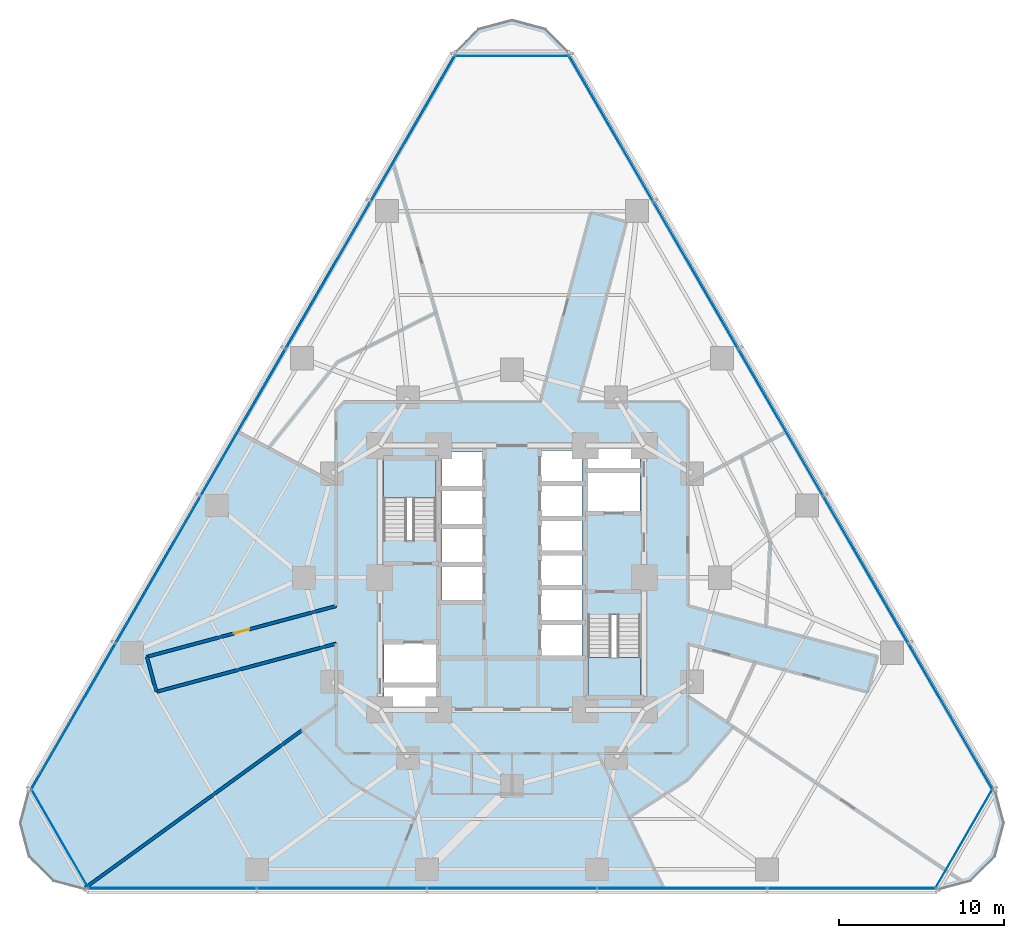
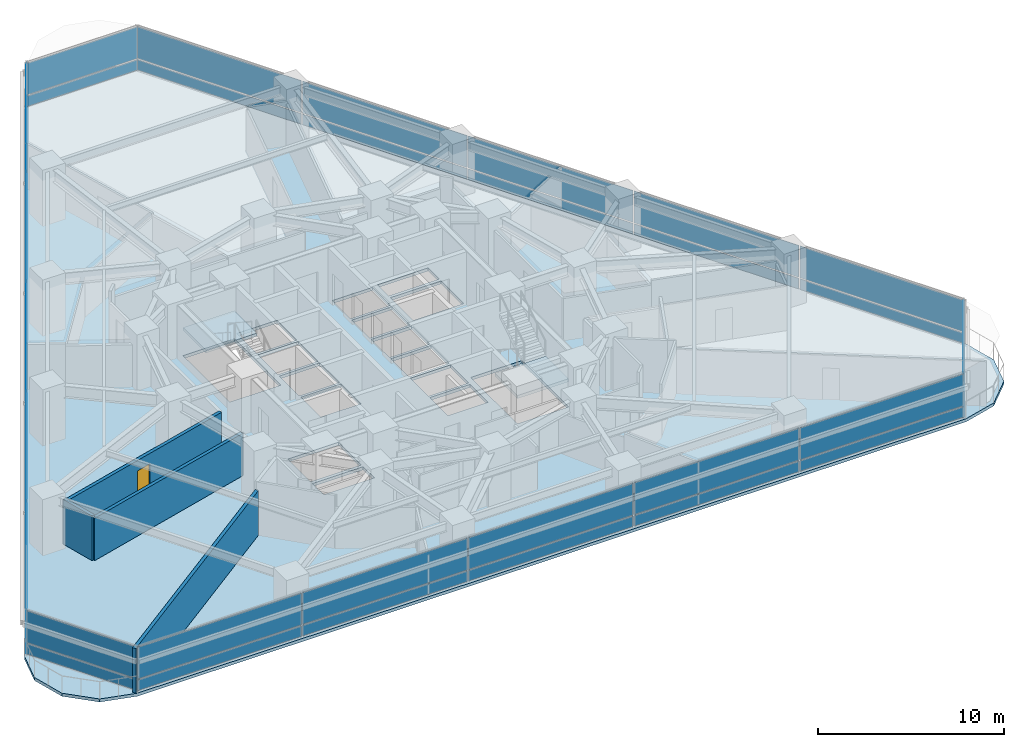
# One storey, part 7 of 16: 36 plates, 4 walls, 3 slabs, 1 door, 1 opening, 8 elements without a shape of their own.
"""IFC4 building model written with IfcOpenShell, lengths in metres."""

from ifc_helpers import new_model, si_unit, direction, frame, frame_2d, origin, origin_2d, place, context, subcontext, project, spatial, polyline, rectangle, outline, extrude, material, layer, layer_set, type_object, element, fill, aggregate, save


model = new_model("IFC4")

# Units and contexts
model_context = context("Model", 3, precision=1e-05, world=origin(), true_north=direction((0.0, 1.0)))
body_context = subcontext(model_context, "Body", "Model", "MODEL_VIEW")
ifc_project = project(units=[si_unit("LENGTHUNIT", "METRE"), si_unit("AREAUNIT", "SQUARE_METRE"), si_unit("VOLUMEUNIT", "CUBIC_METRE"), si_unit("PLANEANGLEUNIT", "RADIAN"), si_unit("MASSUNIT", "GRAM", prefix="KILO")], contexts=[model_context])

# Site, building, storey
site_placement = place(None, origin())
site = spatial("IfcSite", under=ifc_project, at=site_placement, CompositionType="ELEMENT")
building_placement = place(site_placement, origin())
building = spatial("IfcBuilding", under=site, at=building_placement, Name="Terralouvre Media Tower", CompositionType="ELEMENT")
storey_placement = place(building_placement, frame((0.0, 0.0, 40.800048828125)))
storey = spatial("IfcBuildingStorey", under=building, at=storey_placement, Name="L09", CompositionType="ELEMENT", Elevation=40.800048828125)

# Slab
ifc_material_1 = material(Name="Concrete C40/50", Category="concrete")
ifc_layer_1 = layer(ifc_material_1, 0.199951171875, Name="Composite Tower Floor Slab S-TYP200")
ifc_layer_set_1 = layer_set([ifc_layer_1], Name="Concrete C40/50")
slab_type_1 = type_object("IfcSlabType", Name="Composite Tower Floor Slab S-TYP200", PredefinedType="FLOOR", material=ifc_layer_set_1)
slab_1_placement = place(storey_placement, frame((0.0, 0.0, -0.199951171875)))
element("IfcSlab", 1, at=slab_1_placement, inside=storey, type_object=slab_type_1, Name="L09 Structural Floor Slab", PredefinedType="FLOOR", context=body_context, shape_type="SweptSolid", body=[
    extrude(outline(polyline([(-29.25732421875, -12.841796875), (-29.800048828125, -14.86669921875), (-29.25732421875, -16.891845703125), (-27.77490234375, -18.374267578125), (-25.75, -18.916748046875), (25.75, -18.916748046875), (27.77490234375, -18.374267578125), (29.25732421875, -16.891845703125), (29.800048828125, -14.86669921875), (29.25732421875, -12.841796875), (3.50732421875, 31.758544921875), (2.02490234375, 33.240966796875), (0.0, 33.783447265625), (-2.02490234375, 33.240966796875), (-3.50732421875, 31.758544921875), (-29.25732421875, -12.841796875)]), holes=[polyline([(-4.60009765625, -7.800048828125), (-7.75, -7.800048828125), (-7.75, -6.60009765625), (-4.60009765625, -6.60009765625), (-4.60009765625, -7.800048828125)]), polyline([(-4.60009765625, -6.39990234375), (-7.75, -6.39990234375), (-7.75, -3.949951171875), (-4.60009765625, -3.949951171875), (-4.60009765625, -6.39990234375)]), polyline([(-1.75, -1.419921875), (-4.25, -1.419921875), (-4.25, 0.719970703125), (-1.75, 0.719970703125), (-1.75, -1.419921875)]), polyline([(-1.75, 0.8798828125), (-4.25, 0.8798828125), (-4.25, 3.02001953125), (-1.75, 3.02001953125), (-1.75, 0.8798828125)]), polyline([(4.25, 1.580078125), (1.75, 1.580078125), (1.75, 3.52001953125), (4.25, 3.52001953125), (4.25, 1.580078125)]), polyline([(-1.75, 3.179931640625), (-4.25, 3.179931640625), (-4.25, 5.320068359375), (-1.75, 5.320068359375), (-1.75, 3.179931640625)]), polyline([(-4.60009765625, 2.2451171875), (-7.780029296875, 2.2451171875), (-7.780029296875, 7.260009765625), (-4.60009765625, 7.260009765625), (-4.60009765625, 2.2451171875)]), polyline([(-1.75, 5.47998046875), (-4.25, 5.47998046875), (-4.25, 7.6201171875), (-1.75, 7.6201171875), (-1.75, 5.47998046875)]), polyline([(4.60009765625, -2.2451171875), (7.780029296875, -2.2451171875), (7.780029296875, -7.260009765625), (4.60009765625, -7.260009765625), (4.60009765625, -2.2451171875)]), polyline([(4.25, -4.719970703125), (1.75, -4.719970703125), (1.75, -2.780029296875), (4.25, -2.780029296875), (4.25, -4.719970703125)]), polyline([(4.25, -2.6201171875), (1.75, -2.6201171875), (1.75, -0.679931640625), (4.25, -0.679931640625), (4.25, -2.6201171875)]), polyline([(4.25, -0.52001953125), (1.75, -0.52001953125), (1.75, 1.419921875), (4.25, 1.419921875), (4.25, -0.52001953125)]), polyline([(4.25, 3.679931640625), (1.75, 3.679931640625), (1.75, 5.6201171875), (4.25, 5.6201171875), (4.25, 3.679931640625)]), polyline([(7.75, 3.949951171875), (4.60009765625, 3.949951171875), (4.60009765625, 6.39990234375), (7.75, 6.39990234375), (7.75, 3.949951171875)]), polyline([(4.25, 5.780029296875), (1.75, 5.780029296875), (1.75, 7.719970703125), (4.25, 7.719970703125), (4.25, 5.780029296875)]), polyline([(7.75, 6.60009765625), (4.60009765625, 6.60009765625), (4.60009765625, 7.800048828125), (7.75, 7.800048828125), (7.75, 6.60009765625)])]), origin(), (0.0, 0.0, 1.0), 0.199951171875),
])

# Stair, slab
ifc_material_2 = material(Name="Concrete C45/55", Category="concrete")
stair_type_1 = type_object("IfcStairType", Name="Dogleg Stair Assembly ST-01", PredefinedType="HALF_TURN_STAIR", material=ifc_material_2)
stair_1_placement = place(storey_placement, origin())
stair_1 = element("IfcStair", 2, at=stair_1_placement, inside=storey, type_object=stair_type_1, Name="L09 Core Pressurised Exit Stair ST-01", PredefinedType="HALF_TURN_STAIR")
ifc_material_3 = material(Name="Concrete C45/55", Category="concrete")
ifc_layer_2 = layer(ifc_material_3, 0.199951171875, Name="Reinforced Concrete Stair Half-Landing SL-LD1")
ifc_layer_set_2 = layer_set([ifc_layer_2], Name="Concrete C45/55")
slab_type_2 = type_object("IfcSlabType", Name="Reinforced Concrete Stair Half-Landing SL-LD1", PredefinedType="LANDING", material=ifc_layer_set_2)
slab_2_placement = place(storey_placement, frame((0.0, 0.0, 1.64990234375)))
slab_2 = element("IfcSlab", 3, at=slab_2_placement, type_object=slab_type_2, Name="ST-01 landing 1", PredefinedType="LANDING", context=body_context, shape_type="SweptSolid", body=[
    extrude(outline(polyline([(-4.60009765625, 4.820068359375), (-4.60009765625, 7.260009765625), (-7.780029296875, 7.260009765625), (-7.780029296875, 4.820068359375), (-4.60009765625, 4.820068359375)])), origin(), (0.0, 0.0, 1.0), 0.199951171875),
])
aggregate(stair_1, [slab_2])

ifc_material_4 = material(Name="Concrete C45/55", Category="concrete")
stair_type_2 = type_object("IfcStairType", Name="Dogleg Stair Assembly ST-02", PredefinedType="HALF_TURN_STAIR", material=ifc_material_4)
stair_2_placement = place(storey_placement, origin())
stair_2 = element("IfcStair", 4, at=stair_2_placement, inside=storey, type_object=stair_type_2, Name="L09 Core Pressurised Exit Stair ST-02", PredefinedType="HALF_TURN_STAIR")
slab_3_placement = place(storey_placement, frame((0.0, 0.0, 1.64990234375)))
slab_3 = element("IfcSlab", 5, at=slab_3_placement, type_object=slab_type_2, Name="ST-02 landing 1", PredefinedType="LANDING", context=body_context, shape_type="SweptSolid", body=[
    extrude(outline(polyline([(4.60009765625, -4.820068359375), (4.60009765625, -7.260009765625), (7.780029296875, -7.260009765625), (7.780029296875, -4.820068359375), (4.60009765625, -4.820068359375)])), origin(), (0.0, 0.0, 1.0), 0.199951171875),
])
aggregate(stair_2, [slab_3])

# Curtain wall, plates
ifc_material_5 = material(Name="Low-iron laminated double glazing with solar-control coating", Category="glass")
ifc_layer_3 = layer(ifc_material_5, 0.1650390625, Name="Rounded Wind-Corner Curved Glazing CW-04")
ifc_layer_set_3 = layer_set([ifc_layer_3], Name="Low-iron laminated double glazing with solar-control coating")
curtain_wall_type_1 = type_object("IfcCurtainWallType", Name="Rounded Wind-Corner Curved Glazing CW-04", PredefinedType="NOTDEFINED", material=ifc_layer_set_3)
curtain_wall_1_placement = place(storey_placement, origin())
curtain_wall_1 = element("IfcCurtainWall", 6, at=curtain_wall_1_placement, inside=storey, type_object=curtain_wall_type_1, Name="L09 Rounded Wind-Corner Curtain Wall C0", PredefinedType="NOTDEFINED")
ifc_material_6 = material(Name="Low-iron laminated double glazing with solar-control coating", Category="glass")
ifc_layer_4 = layer(ifc_material_6, 0.0400390625, Name="Rounded Corner Laminated Vision Panel CWP-03")
ifc_layer_set_4 = layer_set([ifc_layer_4], Name="Low-iron laminated double glazing with solar-control coating")
plate_type_1 = type_object("IfcPlateType", Name="Rounded Corner Laminated Vision Panel CWP-03", PredefinedType="CURTAIN_PANEL", material=ifc_layer_set_4)
plate_1_placement = place(storey_placement, frame((-27.382568359375, -15.809326171875, 0.074951171875), z_axis=(0.0, 0.0, 1.0), x_axis=(0.499999691503, -0.866025581895, 0.0)))
plate_1 = element("IfcPlate", 7, at=plate_1_placement, type_object=plate_type_1, Name="CW-04 panel 1.1", PredefinedType="CURTAIN_PANEL", context=body_context, shape_type="SweptSolid", body=[
    extrude(rectangle(XDim=6.86474609375, YDim=0.035888671875, at=origin_2d()), origin(), (0.0, 0.0, 1.0), 0.6875),
])
plate_2_placement = place(storey_placement, frame((-27.382568359375, -15.809326171875, 0.83740234375), z_axis=(0.0, 0.0, 1.0), x_axis=(0.499999691503, -0.866025581895, 0.0)))
plate_2 = element("IfcPlate", 8, at=plate_2_placement, type_object=plate_type_1, Name="CW-04 panel 1.2", PredefinedType="CURTAIN_PANEL", context=body_context, shape_type="SweptSolid", body=[
    extrude(rectangle(XDim=6.86474609375, YDim=0.035888671875, at=origin_2d()), origin(), (0.0, 0.0, 1.0), 2.08740234375),
])
aggregate(curtain_wall_1, [plate_1, plate_2])

curtain_wall_2_placement = place(storey_placement, origin())
curtain_wall_2 = element("IfcCurtainWall", 9, at=curtain_wall_2_placement, inside=storey, type_object=curtain_wall_type_1, Name="L09 Rounded Wind-Corner Curtain Wall C1", PredefinedType="NOTDEFINED")
plate_3_placement = place(storey_placement, frame((27.382568359375, -15.809326171875, 0.074951171875), z_axis=(0.0, 0.0, 1.0), x_axis=(0.499999691503, 0.866025581895, 0.0)))
plate_3 = element("IfcPlate", 10, at=plate_3_placement, type_object=plate_type_1, Name="CW-04 panel 1.1", PredefinedType="CURTAIN_PANEL", context=body_context, shape_type="SweptSolid", body=[
    extrude(rectangle(XDim=6.86474609375, YDim=0.035888671875, at=origin_2d()), origin(), (0.0, 0.0, 1.0), 0.6875),
])
plate_4_placement = place(storey_placement, frame((27.382568359375, -15.809326171875, 0.83740234375), z_axis=(0.0, 0.0, 1.0), x_axis=(0.499999691503, 0.866025581895, 0.0)))
plate_4 = element("IfcPlate", 11, at=plate_4_placement, type_object=plate_type_1, Name="CW-04 panel 1.2", PredefinedType="CURTAIN_PANEL", context=body_context, shape_type="SweptSolid", body=[
    extrude(rectangle(XDim=6.86474609375, YDim=0.035888671875, at=origin_2d()), origin(), (0.0, 0.0, 1.0), 2.08740234375),
])
aggregate(curtain_wall_2, [plate_3, plate_4])

curtain_wall_3_placement = place(storey_placement, origin())
curtain_wall_3 = element("IfcCurtainWall", 12, at=curtain_wall_3_placement, inside=storey, type_object=curtain_wall_type_1, Name="L09 Rounded Wind-Corner Curtain Wall C2", PredefinedType="NOTDEFINED")
plate_5_placement = place(storey_placement, frame((0.0, 31.61865234375, 0.074951171875), z_axis=(0.0, 0.0, 1.0), x_axis=(-1.0, 0.0, 0.0)))
plate_5 = element("IfcPlate", 13, at=plate_5_placement, type_object=plate_type_1, Name="CW-04 panel 1.1", PredefinedType="CURTAIN_PANEL", context=body_context, shape_type="SweptSolid", body=[
    extrude(rectangle(XDim=6.86474609375, YDim=0.035888671875, at=origin_2d()), origin(), (0.0, 0.0, 1.0), 0.6875),
])
plate_6_placement = place(storey_placement, frame((0.0, 31.61865234375, 0.83740234375), z_axis=(0.0, 0.0, 1.0), x_axis=(-1.0, 0.0, 0.0)))
plate_6 = element("IfcPlate", 14, at=plate_6_placement, type_object=plate_type_1, Name="CW-04 panel 1.2", PredefinedType="CURTAIN_PANEL", context=body_context, shape_type="SweptSolid", body=[
    extrude(rectangle(XDim=6.86474609375, YDim=0.035888671875, at=origin_2d()), origin(), (0.0, 0.0, 1.0), 2.08740234375),
])
aggregate(curtain_wall_3, [plate_5, plate_6])

ifc_material_7 = material(Name="Low-iron laminated double glazing with solar-control coating", Category="glass")
ifc_layer_5 = layer(ifc_material_7, 0.1650390625, Name="Lower Media Tower Unitised Curtain Wall CW-02")
ifc_layer_set_5 = layer_set([ifc_layer_5], Name="Low-iron laminated double glazing with solar-control coating")
curtain_wall_type_2 = type_object("IfcCurtainWallType", Name="Lower Media Tower Unitised Curtain Wall CW-02", PredefinedType="NOTDEFINED", material=ifc_layer_set_5)
curtain_wall_4_placement = place(storey_placement, origin())
curtain_wall_4 = element("IfcCurtainWall", 15, at=curtain_wall_4_placement, inside=storey, type_object=curtain_wall_type_2, Name="L09 Facade Curtain Wall F0", PredefinedType="NOTDEFINED")
ifc_material_8 = material(Name="Low-iron laminated double glazing with solar-control coating", Category="glass")
ifc_layer_6 = layer(ifc_material_8, 0.035888671875, Name="Vision Double-Glazed Unit CWP-01")
ifc_layer_set_6 = layer_set([ifc_layer_6], Name="Low-iron laminated double glazing with solar-control coating")
plate_type_2 = type_object("IfcPlateType", Name="Vision Double-Glazed Unit CWP-01", PredefinedType="CURTAIN_PANEL", material=ifc_layer_set_6)
plate_7_placement = place(storey_placement, frame((-20.581298828125, -18.796875, 0.074951171875), z_axis=(0.0, 0.0, 1.0), x_axis=(1.0, 0.0, 0.0)))
plate_7 = element("IfcPlate", 16, at=plate_7_placement, type_object=plate_type_2, Name="CW-02 panel 1.1", PredefinedType="CURTAIN_PANEL", context=body_context, shape_type="SweptSolid", body=[
    extrude(rectangle(XDim=10.1875, YDim=0.035888671875, at=origin_2d()), origin(), (0.0, 0.0, 1.0), 0.6875),
])
plate_8_placement = place(storey_placement, frame((-20.581298828125, -18.796875, 0.83740234375), z_axis=(0.0, 0.0, 1.0), x_axis=(1.0, 0.0, 0.0)))
plate_8 = element("IfcPlate", 17, at=plate_8_placement, type_object=plate_type_2, Name="CW-02 panel 1.2", PredefinedType="CURTAIN_PANEL", context=body_context, shape_type="SweptSolid", body=[
    extrude(rectangle(XDim=10.1875, YDim=0.035888671875, at=origin_2d()), origin(), (0.0, 0.0, 1.0), 2.08740234375),
])
plate_9_placement = place(storey_placement, frame((-10.300048828125, -18.796875, 0.074951171875), z_axis=(0.0, 0.0, 1.0), x_axis=(1.0, 0.0, 0.0)))
plate_9 = element("IfcPlate", 18, at=plate_9_placement, type_object=plate_type_2, Name="CW-02 panel 2.1", PredefinedType="CURTAIN_PANEL", context=body_context, shape_type="SweptSolid", body=[
    extrude(rectangle(XDim=10.22509765625, YDim=0.035888671875, at=origin_2d()), origin(), (0.0, 0.0, 1.0), 0.6875),
])
plate_10_placement = place(storey_placement, frame((-10.300048828125, -18.796875, 0.83740234375), z_axis=(0.0, 0.0, 1.0), x_axis=(1.0, 0.0, 0.0)))
plate_10 = element("IfcPlate", 19, at=plate_10_placement, type_object=plate_type_2, Name="CW-02 panel 2.2", PredefinedType="CURTAIN_PANEL", context=body_context, shape_type="SweptSolid", body=[
    extrude(rectangle(XDim=10.22509765625, YDim=0.035888671875, at=origin_2d()), origin(), (0.0, 0.0, 1.0), 2.08740234375),
])
plate_11_placement = place(storey_placement, frame((0.0, -18.796875, 0.074951171875), z_axis=(0.0, 0.0, 1.0), x_axis=(1.0, 0.0, 0.0)))
plate_11 = element("IfcPlate", 20, at=plate_11_placement, type_object=plate_type_2, Name="CW-02 panel 3.1", PredefinedType="CURTAIN_PANEL", context=body_context, shape_type="SweptSolid", body=[
    extrude(rectangle(XDim=10.22509765625, YDim=0.035888671875, at=origin_2d()), origin(), (0.0, 0.0, 1.0), 0.6875),
])
plate_12_placement = place(storey_placement, frame((0.0, -18.796875, 0.83740234375), z_axis=(0.0, 0.0, 1.0), x_axis=(1.0, 0.0, 0.0)))
plate_12 = element("IfcPlate", 21, at=plate_12_placement, type_object=plate_type_2, Name="CW-02 panel 3.2", PredefinedType="CURTAIN_PANEL", context=body_context, shape_type="SweptSolid", body=[
    extrude(rectangle(XDim=10.22509765625, YDim=0.035888671875, at=origin_2d()), origin(), (0.0, 0.0, 1.0), 2.08740234375),
])
plate_13_placement = place(storey_placement, frame((10.300048828125, -18.796875, 0.074951171875), z_axis=(0.0, 0.0, 1.0), x_axis=(1.0, 0.0, 0.0)))
plate_13 = element("IfcPlate", 22, at=plate_13_placement, type_object=plate_type_2, Name="CW-02 panel 4.1", PredefinedType="CURTAIN_PANEL", context=body_context, shape_type="SweptSolid", body=[
    extrude(rectangle(XDim=10.22509765625, YDim=0.035888671875, at=origin_2d()), origin(), (0.0, 0.0, 1.0), 0.6875),
])
plate_14_placement = place(storey_placement, frame((10.300048828125, -18.796875, 0.83740234375), z_axis=(0.0, 0.0, 1.0), x_axis=(1.0, 0.0, 0.0)))
plate_14 = element("IfcPlate", 23, at=plate_14_placement, type_object=plate_type_2, Name="CW-02 panel 4.2", PredefinedType="CURTAIN_PANEL", context=body_context, shape_type="SweptSolid", body=[
    extrude(rectangle(XDim=10.22509765625, YDim=0.035888671875, at=origin_2d()), origin(), (0.0, 0.0, 1.0), 2.08740234375),
])
plate_15_placement = place(storey_placement, frame((20.581298828125, -18.796875, 0.074951171875), z_axis=(0.0, 0.0, 1.0), x_axis=(1.0, 0.0, 0.0)))
plate_15 = element("IfcPlate", 24, at=plate_15_placement, type_object=plate_type_2, Name="CW-02 panel 5.1", PredefinedType="CURTAIN_PANEL", context=body_context, shape_type="SweptSolid", body=[
    extrude(rectangle(XDim=10.1875, YDim=0.035888671875, at=origin_2d()), origin(), (0.0, 0.0, 1.0), 0.6875),
])
plate_16_placement = place(storey_placement, frame((20.581298828125, -18.796875, 0.83740234375), z_axis=(0.0, 0.0, 1.0), x_axis=(1.0, 0.0, 0.0)))
plate_16 = element("IfcPlate", 25, at=plate_16_placement, type_object=plate_type_2, Name="CW-02 panel 5.2", PredefinedType="CURTAIN_PANEL", context=body_context, shape_type="SweptSolid", body=[
    extrude(rectangle(XDim=10.1875, YDim=0.035888671875, at=origin_2d()), origin(), (0.0, 0.0, 1.0), 2.08740234375),
])
aggregate(curtain_wall_4, [plate_7, plate_8, plate_9, plate_10, plate_11, plate_12, plate_13, plate_14, plate_15, plate_16])

curtain_wall_5_placement = place(storey_placement, origin())
curtain_wall_5 = element("IfcCurtainWall", 26, at=curtain_wall_5_placement, inside=storey, type_object=curtain_wall_type_2, Name="L09 Facade Curtain Wall F1", PredefinedType="NOTDEFINED")
plate_17_placement = place(storey_placement, frame((26.569091796875, -8.425537109375, 0.074951171875), z_axis=(0.0, 0.0, 1.0), x_axis=(-0.499999985671, 0.866025412057, 0.0)))
plate_17 = element("IfcPlate", 27, at=plate_17_placement, type_object=plate_type_2, Name="CW-02 panel 1.1", PredefinedType="CURTAIN_PANEL", context=body_context, shape_type="SweptSolid", body=[
    extrude(rectangle(XDim=10.1875, YDim=0.035888671875, at=origin_2d()), origin(), (0.0, 0.0, 1.0), 0.6875),
])
plate_18_placement = place(storey_placement, frame((26.569091796875, -8.425537109375, 0.83740234375), z_axis=(0.0, 0.0, 1.0), x_axis=(-0.499999985671, 0.866025412057, 0.0)))
plate_18 = element("IfcPlate", 28, at=plate_18_placement, type_object=plate_type_2, Name="CW-02 panel 1.2", PredefinedType="CURTAIN_PANEL", context=body_context, shape_type="SweptSolid", body=[
    extrude(rectangle(XDim=10.1875, YDim=0.035888671875, at=origin_2d()), origin(), (0.0, 0.0, 1.0), 2.08740234375),
])
plate_19_placement = place(storey_placement, frame((21.428466796875, 0.478271484375, 0.074951171875), z_axis=(0.0, 0.0, 1.0), x_axis=(-0.499999985671, 0.866025412057, 0.0)))
plate_19 = element("IfcPlate", 29, at=plate_19_placement, type_object=plate_type_2, Name="CW-02 panel 2.1", PredefinedType="CURTAIN_PANEL", context=body_context, shape_type="SweptSolid", body=[
    extrude(rectangle(XDim=10.22509765625, YDim=0.035888671875, at=origin_2d()), origin(), (0.0, 0.0, 1.0), 0.6875),
])
plate_20_placement = place(storey_placement, frame((21.428466796875, 0.478271484375, 0.83740234375), z_axis=(0.0, 0.0, 1.0), x_axis=(-0.499999985671, 0.866025412057, 0.0)))
plate_20 = element("IfcPlate", 30, at=plate_20_placement, type_object=plate_type_2, Name="CW-02 panel 2.2", PredefinedType="CURTAIN_PANEL", context=body_context, shape_type="SweptSolid", body=[
    extrude(rectangle(XDim=10.22509765625, YDim=0.035888671875, at=origin_2d()), origin(), (0.0, 0.0, 1.0), 2.08740234375),
])
plate_21_placement = place(storey_placement, frame((16.278564453125, 9.3984375, 0.074951171875), z_axis=(0.0, 0.0, 1.0), x_axis=(-0.499999985671, 0.866025412057, 0.0)))
plate_21 = element("IfcPlate", 31, at=plate_21_placement, type_object=plate_type_2, Name="CW-02 panel 3.1", PredefinedType="CURTAIN_PANEL", context=body_context, shape_type="SweptSolid", body=[
    extrude(rectangle(XDim=10.22509765625, YDim=0.035888671875, at=origin_2d()), origin(), (0.0, 0.0, 1.0), 0.6875),
])
plate_22_placement = place(storey_placement, frame((16.278564453125, 9.3984375, 0.83740234375), z_axis=(0.0, 0.0, 1.0), x_axis=(-0.499999985671, 0.866025412057, 0.0)))
plate_22 = element("IfcPlate", 32, at=plate_22_placement, type_object=plate_type_2, Name="CW-02 panel 3.2", PredefinedType="CURTAIN_PANEL", context=body_context, shape_type="SweptSolid", body=[
    extrude(rectangle(XDim=10.22509765625, YDim=0.035888671875, at=origin_2d()), origin(), (0.0, 0.0, 1.0), 2.08740234375),
])
plate_23_placement = place(storey_placement, frame((11.12841796875, 18.318359375, 0.074951171875), z_axis=(0.0, 0.0, 1.0), x_axis=(-0.499999985671, 0.866025412057, 0.0)))
plate_23 = element("IfcPlate", 33, at=plate_23_placement, type_object=plate_type_2, Name="CW-02 panel 4.1", PredefinedType="CURTAIN_PANEL", context=body_context, shape_type="SweptSolid", body=[
    extrude(rectangle(XDim=10.22509765625, YDim=0.035888671875, at=origin_2d()), origin(), (0.0, 0.0, 1.0), 0.6875),
])
plate_24_placement = place(storey_placement, frame((11.12841796875, 18.318359375, 0.83740234375), z_axis=(0.0, 0.0, 1.0), x_axis=(-0.499999985671, 0.866025412057, 0.0)))
plate_24 = element("IfcPlate", 34, at=plate_24_placement, type_object=plate_type_2, Name="CW-02 panel 4.2", PredefinedType="CURTAIN_PANEL", context=body_context, shape_type="SweptSolid", body=[
    extrude(rectangle(XDim=10.22509765625, YDim=0.035888671875, at=origin_2d()), origin(), (0.0, 0.0, 1.0), 2.08740234375),
])
plate_25_placement = place(storey_placement, frame((5.98779296875, 27.22216796875, 0.074951171875), z_axis=(0.0, 0.0, 1.0), x_axis=(-0.499999985671, 0.866025412057, 0.0)))
plate_25 = element("IfcPlate", 35, at=plate_25_placement, type_object=plate_type_2, Name="CW-02 panel 5.1", PredefinedType="CURTAIN_PANEL", context=body_context, shape_type="SweptSolid", body=[
    extrude(rectangle(XDim=10.1875, YDim=0.035888671875, at=origin_2d()), origin(), (0.0, 0.0, 1.0), 0.6875),
])
plate_26_placement = place(storey_placement, frame((5.98779296875, 27.22216796875, 0.83740234375), z_axis=(0.0, 0.0, 1.0), x_axis=(-0.499999985671, 0.866025412057, 0.0)))
plate_26 = element("IfcPlate", 36, at=plate_26_placement, type_object=plate_type_2, Name="CW-02 panel 5.2", PredefinedType="CURTAIN_PANEL", context=body_context, shape_type="SweptSolid", body=[
    extrude(rectangle(XDim=10.1875, YDim=0.035888671875, at=origin_2d()), origin(), (0.0, 0.0, 1.0), 2.08740234375),
])
aggregate(curtain_wall_5, [plate_17, plate_18, plate_19, plate_20, plate_21, plate_22, plate_23, plate_24, plate_25, plate_26])

curtain_wall_6_placement = place(storey_placement, origin())
curtain_wall_6 = element("IfcCurtainWall", 37, at=curtain_wall_6_placement, inside=storey, type_object=curtain_wall_type_2, Name="L09 Facade Curtain Wall F2", PredefinedType="NOTDEFINED")
plate_27_placement = place(storey_placement, frame((-5.98779296875, 27.22216796875, 0.074951171875), z_axis=(0.0, 0.0, 1.0), x_axis=(-0.499999985671, -0.866025412057, 0.0)))
plate_27 = element("IfcPlate", 38, at=plate_27_placement, type_object=plate_type_2, Name="CW-02 panel 1.1", PredefinedType="CURTAIN_PANEL", context=body_context, shape_type="SweptSolid", body=[
    extrude(rectangle(XDim=10.1875, YDim=0.035888671875, at=origin_2d()), origin(), (0.0, 0.0, 1.0), 0.6875),
])
plate_28_placement = place(storey_placement, frame((-5.98779296875, 27.22216796875, 0.83740234375), z_axis=(0.0, 0.0, 1.0), x_axis=(-0.499999985671, -0.866025412057, 0.0)))
plate_28 = element("IfcPlate", 39, at=plate_28_placement, type_object=plate_type_2, Name="CW-02 panel 1.2", PredefinedType="CURTAIN_PANEL", context=body_context, shape_type="SweptSolid", body=[
    extrude(rectangle(XDim=10.1875, YDim=0.035888671875, at=origin_2d()), origin(), (0.0, 0.0, 1.0), 2.08740234375),
])
plate_29_placement = place(storey_placement, frame((-11.12841796875, 18.318359375, 0.074951171875), z_axis=(0.0, 0.0, 1.0), x_axis=(-0.499999985671, -0.866025412057, 0.0)))
plate_29 = element("IfcPlate", 40, at=plate_29_placement, type_object=plate_type_2, Name="CW-02 panel 2.1", PredefinedType="CURTAIN_PANEL", context=body_context, shape_type="SweptSolid", body=[
    extrude(rectangle(XDim=10.22509765625, YDim=0.035888671875, at=origin_2d()), origin(), (0.0, 0.0, 1.0), 0.6875),
])
plate_30_placement = place(storey_placement, frame((-11.12841796875, 18.318359375, 0.83740234375), z_axis=(0.0, 0.0, 1.0), x_axis=(-0.499999985671, -0.866025412057, 0.0)))
plate_30 = element("IfcPlate", 41, at=plate_30_placement, type_object=plate_type_2, Name="CW-02 panel 2.2", PredefinedType="CURTAIN_PANEL", context=body_context, shape_type="SweptSolid", body=[
    extrude(rectangle(XDim=10.22509765625, YDim=0.035888671875, at=origin_2d()), origin(), (0.0, 0.0, 1.0), 2.08740234375),
])
plate_31_placement = place(storey_placement, frame((-16.278564453125, 9.3984375, 0.074951171875), z_axis=(0.0, 0.0, 1.0), x_axis=(-0.499999985671, -0.866025412057, 0.0)))
plate_31 = element("IfcPlate", 42, at=plate_31_placement, type_object=plate_type_2, Name="CW-02 panel 3.1", PredefinedType="CURTAIN_PANEL", context=body_context, shape_type="SweptSolid", body=[
    extrude(rectangle(XDim=10.22509765625, YDim=0.035888671875, at=origin_2d()), origin(), (0.0, 0.0, 1.0), 0.6875),
])
plate_32_placement = place(storey_placement, frame((-16.278564453125, 9.3984375, 0.83740234375), z_axis=(0.0, 0.0, 1.0), x_axis=(-0.499999985671, -0.866025412057, 0.0)))
plate_32 = element("IfcPlate", 43, at=plate_32_placement, type_object=plate_type_2, Name="CW-02 panel 3.2", PredefinedType="CURTAIN_PANEL", context=body_context, shape_type="SweptSolid", body=[
    extrude(rectangle(XDim=10.22509765625, YDim=0.035888671875, at=origin_2d()), origin(), (0.0, 0.0, 1.0), 2.08740234375),
])
plate_33_placement = place(storey_placement, frame((-21.428466796875, 0.478271484375, 0.074951171875), z_axis=(0.0, 0.0, 1.0), x_axis=(-0.499999985671, -0.866025412057, 0.0)))
plate_33 = element("IfcPlate", 44, at=plate_33_placement, type_object=plate_type_2, Name="CW-02 panel 4.1", PredefinedType="CURTAIN_PANEL", context=body_context, shape_type="SweptSolid", body=[
    extrude(rectangle(XDim=10.22509765625, YDim=0.035888671875, at=origin_2d()), origin(), (0.0, 0.0, 1.0), 0.6875),
])
plate_34_placement = place(storey_placement, frame((-21.428466796875, 0.478271484375, 0.83740234375), z_axis=(0.0, 0.0, 1.0), x_axis=(-0.499999985671, -0.866025412057, 0.0)))
plate_34 = element("IfcPlate", 45, at=plate_34_placement, type_object=plate_type_2, Name="CW-02 panel 4.2", PredefinedType="CURTAIN_PANEL", context=body_context, shape_type="SweptSolid", body=[
    extrude(rectangle(XDim=10.22509765625, YDim=0.035888671875, at=origin_2d()), origin(), (0.0, 0.0, 1.0), 2.08740234375),
])
plate_35_placement = place(storey_placement, frame((-26.569091796875, -8.425537109375, 0.074951171875), z_axis=(0.0, 0.0, 1.0), x_axis=(-0.499999985671, -0.866025412057, 0.0)))
plate_35 = element("IfcPlate", 46, at=plate_35_placement, type_object=plate_type_2, Name="CW-02 panel 5.1", PredefinedType="CURTAIN_PANEL", context=body_context, shape_type="SweptSolid", body=[
    extrude(rectangle(XDim=10.1875, YDim=0.035888671875, at=origin_2d()), origin(), (0.0, 0.0, 1.0), 0.6875),
])
plate_36_placement = place(storey_placement, frame((-26.569091796875, -8.425537109375, 0.83740234375), z_axis=(0.0, 0.0, 1.0), x_axis=(-0.499999985671, -0.866025412057, 0.0)))
plate_36 = element("IfcPlate", 47, at=plate_36_placement, type_object=plate_type_2, Name="CW-02 panel 5.2", PredefinedType="CURTAIN_PANEL", context=body_context, shape_type="SweptSolid", body=[
    extrude(rectangle(XDim=10.1875, YDim=0.035888671875, at=origin_2d()), origin(), (0.0, 0.0, 1.0), 2.08740234375),
])
aggregate(curtain_wall_6, [plate_27, plate_28, plate_29, plate_30, plate_31, plate_32, plate_33, plate_34, plate_35, plate_36])

# Wall, opening, door
ifc_material_9 = material(Name="Fire-rated gypsum board drywall partition")
ifc_layer_7 = layer(ifc_material_9, 0.199951171875, Name="Fire-Rated Shaft and Lobby Partition FW-200")
ifc_layer_set_7 = layer_set([ifc_layer_7], Name="Fire-rated gypsum board drywall partition")
wall_type = type_object("IfcWallType", Name="Fire-Rated Shaft and Lobby Partition FW-200", PredefinedType="SOLIDWALL", material=ifc_layer_set_7)
wall_1_placement = place(storey_placement, frame((-10.64990234375, -1.715087890625, 0.0), z_axis=(0.0, 0.0, 1.0), x_axis=(-0.965926659449, -0.258815935688, 0.0)))
wall_1 = element("IfcWall", 48, at=wall_1_placement, inside=storey, type_object=wall_type, Name="L09 Interior Partition 009", PredefinedType="SOLIDWALL", context=body_context, shape_type="SweptSolid", body=[
    extrude(rectangle(XDim=11.86962890625, YDim=0.199951171875, at=frame_2d((5.934814453125, 0.0))), origin(), (0.0, 0.0, 1.0), 2.784912109375),
])
opening_placement = place(wall_1_placement, frame((5.459716796875, 0.0, 0.0)))
opening = element("IfcOpeningElement", 49, at=opening_placement, cuts=wall_1, Name="Opening FD-02-95X210", PredefinedType="OPENING", context=body_context, shape_type="SweptSolid", body=[
    extrude(rectangle(XDim=0.949951171875, YDim=2.10009765625, at=frame_2d((0.47509765625, 1.050048828125))), frame((0.0, 0.10986328125, 0.0), z_axis=(0.0, -1.0, 0.0), x_axis=(1.0, 0.0, 0.0)), (0.0, 0.0, 1.0), 0.219970703125),
])
ifc_material_10 = material(Name="Galvanised steel fire-resisting leaf", Category="steel")
door_type = type_object("IfcDoorType", Name="Plant and Riser Fire Door FD-02 (950x2100)", OperationType="NOTDEFINED", PredefinedType="DOOR", material=ifc_material_10)
door_placement = place(opening_placement, origin())
door = element("IfcDoor", 50, at=door_placement, inside=storey, type_object=door_type, Name="L09 Lighting Dimmer Switch Room 2 Door", OperationType="SINGLE_SWING_LEFT", OverallHeight=2.10009765625, OverallWidth=0.949951171875, PredefinedType="DOOR", context=body_context, shape_type="SweptSolid", body=[
    extrude(rectangle(XDim=0.949951171875, YDim=2.10009765625, at=frame_2d((0.47509765625, 1.050048828125))), frame((0.0, 0.02490234375, 0.0), z_axis=(0.0, -1.0, 0.0), x_axis=(1.0, 0.0, 0.0)), (0.0, 0.0, 1.0), 0.050048828125),
])
fill(opening, door)

# Walls
wall_2_placement = place(storey_placement, frame((-22.114990234375, -4.787109375, 0.0), z_axis=(0.0, 0.0, 1.0), x_axis=(0.259105843213, -0.965848933329, 0.0)))
element("IfcWall", 51, at=wall_2_placement, inside=storey, type_object=wall_type, Name="L09 Interior Partition 010", PredefinedType="SOLIDWALL", context=body_context, shape_type="SweptSolid", body=[
    extrude(rectangle(XDim=2.2001953125, YDim=0.199951171875, at=frame_2d((1.10009765625, 0.0))), origin(), (0.0, 0.0, 1.0), 2.93505859375),
])
wall_3_placement = place(storey_placement, frame((-21.544921875, -6.912109375, 0.0), z_axis=(0.0, 0.0, 1.0), x_axis=(0.965906888357, 0.258889712088, 0.0)))
element("IfcWall", 52, at=wall_3_placement, inside=storey, type_object=wall_type, Name="L09 Interior Partition 011", PredefinedType="SOLIDWALL", context=body_context, shape_type="SweptSolid", body=[
    extrude(rectangle(XDim=11.279541015625, YDim=0.199951171875, at=frame_2d((5.6396484375, 0.0))), origin(), (0.0, 0.0, 1.0), 2.784912109375),
])
wall_4_placement = place(storey_placement, frame((-25.87646484375, -18.800048828125, 0.0), z_axis=(0.0, 0.0, 1.0), x_axis=(0.809014839236, 0.587788218575, 0.0)))
element("IfcWall", 53, at=wall_4_placement, inside=storey, type_object=wall_type, Name="L09 Interior Partition 037", PredefinedType="SOLIDWALL", context=body_context, shape_type="SweptSolid", body=[
    extrude(rectangle(XDim=16.242431640625, YDim=0.199951171875, at=frame_2d((8.12109375, 0.0))), origin(), (0.0, 0.0, 1.0), 2.93505859375),
])

save(model, "model.ifc")
